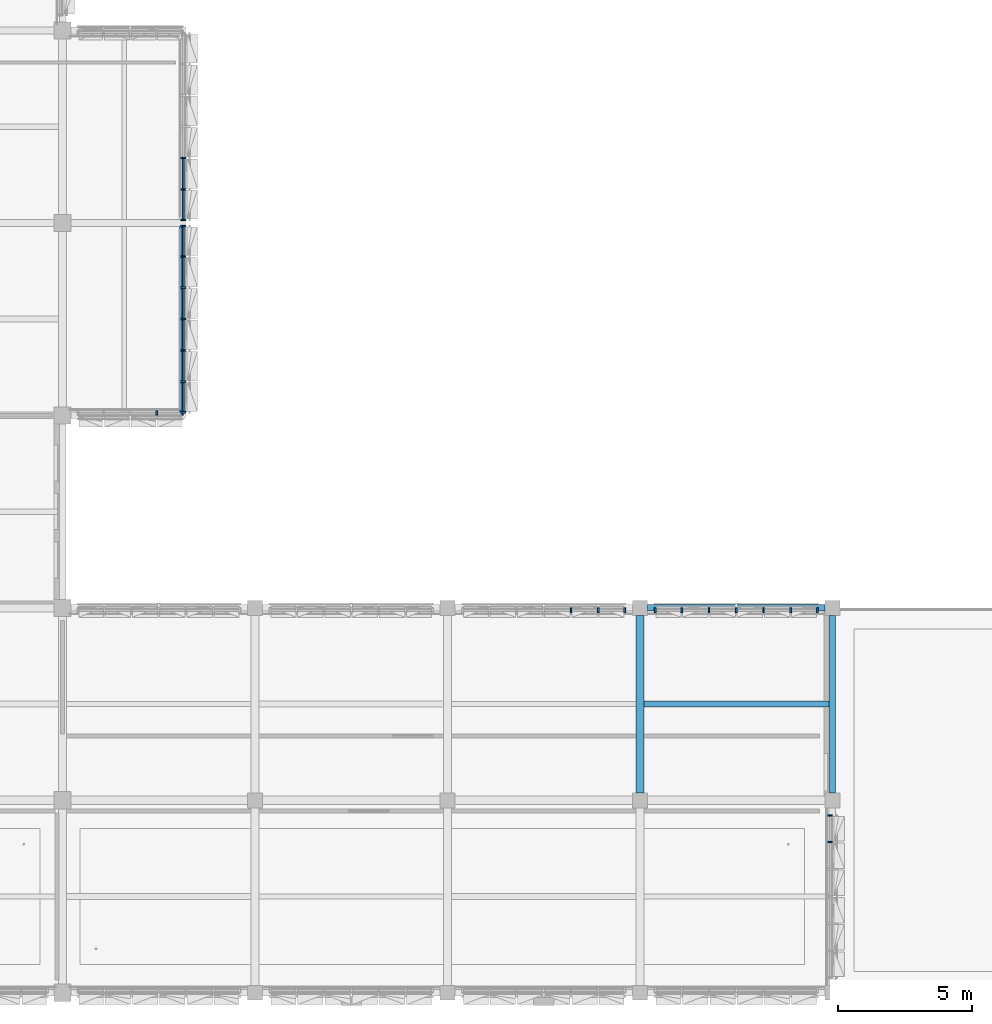
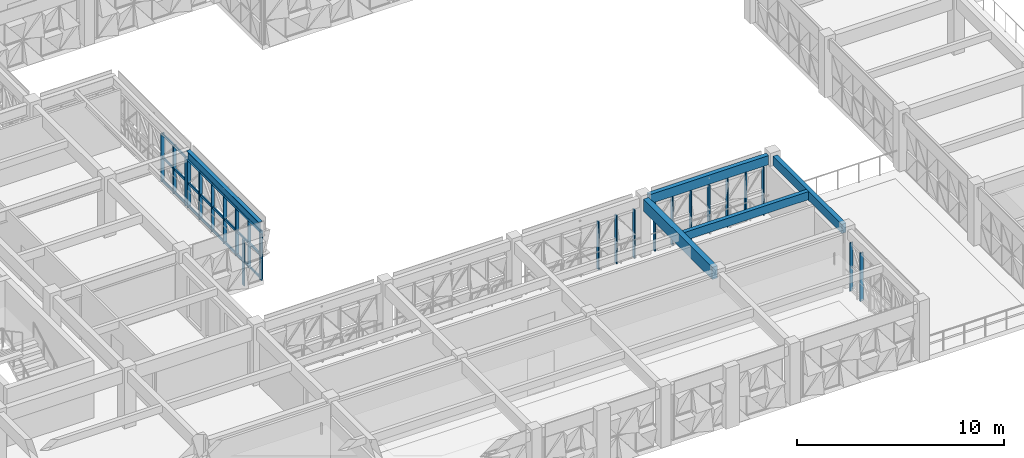
# One storey, part 5 of 85: 48 members, 5 beams, 6 elements without a shape of their own.
"""IFC4 building model written with IfcOpenShell, lengths in metres."""

from ifc_helpers import new_model, si_unit, direction, frame, origin, origin_2d, place, context, subcontext, project, spatial, rectangle, i_section, extrude, material, material_profile, profile_set, type_object, element, aggregate, save


model = new_model("IFC4")

# Units and contexts
model_context = context("Model", 3, precision=1e-05, world=origin(), true_north=direction((0.0, 1.0)))
body_context = subcontext(model_context, "Body", "Model", "MODEL_VIEW")
ifc_project = project(units=[si_unit("LENGTHUNIT", "METRE"), si_unit("AREAUNIT", "SQUARE_METRE"), si_unit("VOLUMEUNIT", "CUBIC_METRE"), si_unit("PLANEANGLEUNIT", "RADIAN"), si_unit("MASSUNIT", "GRAM", prefix="KILO")], contexts=[model_context])

# Site, building, storey
site_placement = place(None, origin())
site = spatial("IfcSite", under=ifc_project, at=site_placement, CompositionType="ELEMENT")
building_placement = place(site_placement, origin())
building = spatial("IfcBuilding", under=site, at=building_placement, Name="Alvorim Cloister Faculty of Sciences", CompositionType="ELEMENT")
storey_placement = place(building_placement, frame((0.0, 0.0, 8.550048828125)))
storey = spatial("IfcBuildingStorey", under=building, at=storey_placement, Name="L02", CompositionType="ELEMENT", Elevation=8.550048828125)

# Beams
ifc_material_1 = material(Name="Glulam GL32h", Category="wood")
ifc_material_profile_1 = material_profile(ifc_material_1, rectangle(XDim=0.300048828125, YDim=0.719970703125, at=origin_2d()), Name="GL32-BM-300x720")
ifc_profile_set_1 = profile_set([ifc_material_profile_1], Name="Glulam GL32h")
beam_type_1 = type_object("IfcBeamType", Name="BM-GL-300x720", PredefinedType="BEAM", material=ifc_profile_set_1)
beam_1_placement = place(storey_placement, frame((50.39990234375, 7.47998046875, 3.030029296875), z_axis=(0.0, 1.0, 0.0), x_axis=(-1.0, 0.0, 0.0)))
element("IfcBeam", 1, at=beam_1_placement, inside=storey, type_object=beam_type_1, Name="L02 Primary Girder BM-1416", PredefinedType="BEAM", context=body_context, shape_type="SweptSolid", body=[
    extrude(rectangle(XDim=0.300048828125, YDim=0.719970703125, at=origin_2d()), origin(), (0.0, 0.0, 1.0), 6.64013671875),
])
ifc_material_2 = material(Name="Glulam GL28h", Category="wood")
ifc_material_profile_2 = material_profile(ifc_material_2, rectangle(XDim=0.219970703125, YDim=0.47998046875, at=origin_2d()), Name="GL28-JST-220x480")
ifc_profile_set_2 = profile_set([ifc_material_profile_2], Name="Glulam GL28h")
beam_type_2 = type_object("IfcBeamType", Name="BM-JST-GL-220x480", PredefinedType="JOIST", material=ifc_profile_set_2)
beam_2_placement = place(storey_placement, frame((50.550048828125, 10.800048828125, 3.14990234375), z_axis=(1.0, 0.0, 0.0), x_axis=(0.0, 1.0, 0.0)))
element("IfcBeam", 2, at=beam_2_placement, inside=storey, type_object=beam_type_2, Name="L02 Secondary Floor Joist BM-1492", PredefinedType="JOIST", context=body_context, shape_type="SweptSolid", body=[
    extrude(rectangle(XDim=0.219970703125, YDim=0.47998046875, at=origin_2d()), origin(), (0.0, 0.0, 1.0), 6.929931640625),
])
ifc_material_profile_3 = material_profile(ifc_material_2, rectangle(XDim=0.239990234375, YDim=0.5400390625, at=origin_2d()), Name="GL28-SPD-240x540")
ifc_profile_set_3 = profile_set([ifc_material_profile_3], Name="Glulam GL28h")
beam_type_3 = type_object("IfcBeamType", Name="BM-SPD-GL-240x540", PredefinedType="SPANDREL", material=ifc_profile_set_3)
for number, where, z_axis, x_axis, name in (
    (3, (50.679931640625, 14.39990234375, 3.119873046875), (1.0, 0.0, 0.0), (0.0, 1.0, 0.0), "L02 Primary Beam BM-1273"),
    (4, (57.60009765625, 7.47998046875, 3.119873046875), (0.0, 1.0, 0.0), (-1.0, 0.0, 0.0), "L02 Primary Girder BM-1418"),
):
    element("IfcBeam", number, at=place(storey_placement, frame(where, z_axis=z_axis, x_axis=x_axis)), inside=storey, type_object=beam_type_3, Name=name, PredefinedType="SPANDREL", context=body_context, shape_type="SweptSolid", body=[
        extrude(rectangle(XDim=0.239990234375, YDim=0.5400390625, at=origin_2d()), origin(), (0.0, 0.0, 1.0), 6.64013671875),
    ])
ifc_material_3 = material(Name="Steel ASTM A572 Grade 50", Category="steel")
ifc_material_profile_4 = material_profile(ifc_material_3, i_section(OverallWidth=0.208984375, OverallDepth=0.532958984375, WebThickness=0.01025390625, FlangeThickness=0.015625, FilletRadius=0.01611328125, at=origin_2d()), Name="W530x92.0")
ifc_profile_set_4 = profile_set([ifc_material_profile_4], Name="Steel ASTM A572 Grade 50")
beam_type_4 = type_object("IfcBeamType", Name="BM-STL-W530", PredefinedType="BEAM", material=ifc_profile_set_4)
beam_3_placement = place(storey_placement, frame((33.280029296875, 21.7099609375, 3.12353515625), z_axis=(0.0, 1.0, 0.0), x_axis=(-1.0, 0.0, 0.0)))
element("IfcBeam", 5, at=beam_3_placement, inside=storey, type_object=beam_type_4, Name="L02 Cantilever Tip Header Girder BM-0017", PredefinedType="BEAM", context=body_context, shape_type="SweptSolid", body=[
    extrude(i_section(OverallWidth=0.208984375, OverallDepth=0.532958984375, WebThickness=0.01025390625, FlangeThickness=0.015625, FilletRadius=0.01611328125, at=origin_2d()), origin(), (0.0, 0.0, 1.0), 6.97998046875),
])

# Curtain wall, members
ifc_material_4 = material(Name="Aluminium and Low-E Glass Curtain Wall", Category="aluminium")
curtain_wall_type_1 = type_object("IfcCurtainWallType", Name="CW-TRI-7040x2857", PredefinedType="USERDEFINED", material=ifc_material_4)
curtain_wall_1_placement = place(storey_placement, origin())
curtain_wall_1 = element("IfcCurtainWall", 6, at=curtain_wall_1_placement, inside=storey, type_object=curtain_wall_type_1, Name="L02 Diagonal Cassette Curtain Wall CW-0072", ObjectType="UNITISED CURTAIN WALL", PredefinedType="USERDEFINED")
ifc_material_5 = material(Name="Aluminium Alloy 6063-T6", Category="aluminium")
ifc_material_profile_5 = material_profile(ifc_material_5, rectangle(XDim=0.06494140625, YDim=0.179931640625, at=origin_2d()), Name="ALU-MUL-65x180")
ifc_profile_set_5 = profile_set([ifc_material_profile_5], Name="Aluminium Alloy 6063-T6")
member_type_1 = type_object("IfcMemberType", Name="CW-MUL-65x180", PredefinedType="MULLION", material=ifc_profile_set_5)
member_1_placement = place(storey_placement, frame((33.31005859375, 28.91259765625, 0.0), z_axis=(0.0, 0.0, 1.0), x_axis=(0.0, 1.0, 0.0)))
member_1 = element("IfcMember", 7, at=member_1_placement, type_object=member_type_1, Name="CW-0072 Mullion 1", PredefinedType="MULLION", context=body_context, shape_type="SweptSolid", body=[
    extrude(rectangle(XDim=0.06494140625, YDim=0.179931640625, at=origin_2d()), origin(), (0.0, 0.0, 1.0), 2.85693359375),
])
member_2_placement = place(storey_placement, frame((33.31005859375, 30.05322265625, 0.0), z_axis=(0.0, 0.0, 1.0), x_axis=(0.0, 1.0, 0.0)))
member_2 = element("IfcMember", 8, at=member_2_placement, type_object=member_type_1, Name="CW-0072 Mullion 2", PredefinedType="MULLION", context=body_context, shape_type="SweptSolid", body=[
    extrude(rectangle(XDim=0.06494140625, YDim=0.179931640625, at=origin_2d()), origin(), (0.0, 0.0, 1.0), 2.85693359375),
])
member_3_placement = place(storey_placement, frame((33.31005859375, 31.226806640625, 0.0), z_axis=(0.0, 0.0, 1.0), x_axis=(0.0, 1.0, 0.0)))
member_3 = element("IfcMember", 9, at=member_3_placement, type_object=member_type_1, Name="CW-0072 Mullion 3", PredefinedType="MULLION", context=body_context, shape_type="SweptSolid", body=[
    extrude(rectangle(XDim=0.06494140625, YDim=0.179931640625, at=origin_2d()), origin(), (0.0, 0.0, 1.0), 2.85693359375),
])

curtain_wall_2_placement = place(storey_placement, origin())
curtain_wall_2 = element("IfcCurtainWall", 10, at=curtain_wall_2_placement, inside=storey, type_object=curtain_wall_type_1, Name="L02 Diagonal Cassette Curtain Wall CW-0073", ObjectType="UNITISED CURTAIN WALL", PredefinedType="USERDEFINED")
member_4_placement = place(storey_placement, frame((33.31005859375, 21.71240234375, 0.0), z_axis=(0.0, 0.0, 1.0), x_axis=(0.0, 1.0, 0.0)))
member_4 = element("IfcMember", 11, at=member_4_placement, type_object=member_type_1, Name="CW-0073 Mullion 1", PredefinedType="MULLION", context=body_context, shape_type="SweptSolid", body=[
    extrude(rectangle(XDim=0.06494140625, YDim=0.179931640625, at=origin_2d()), origin(), (0.0, 0.0, 1.0), 2.85693359375),
])
member_5_placement = place(storey_placement, frame((33.31005859375, 22.853271484375, 0.0), z_axis=(0.0, 0.0, 1.0), x_axis=(0.0, 1.0, 0.0)))
member_5 = element("IfcMember", 12, at=member_5_placement, type_object=member_type_1, Name="CW-0073 Mullion 2", PredefinedType="MULLION", context=body_context, shape_type="SweptSolid", body=[
    extrude(rectangle(XDim=0.06494140625, YDim=0.179931640625, at=origin_2d()), origin(), (0.0, 0.0, 1.0), 2.85693359375),
])
member_6_placement = place(storey_placement, frame((33.31005859375, 24.026611328125, 0.0), z_axis=(0.0, 0.0, 1.0), x_axis=(0.0, 1.0, 0.0)))
member_6 = element("IfcMember", 13, at=member_6_placement, type_object=member_type_1, Name="CW-0073 Mullion 3", PredefinedType="MULLION", context=body_context, shape_type="SweptSolid", body=[
    extrude(rectangle(XDim=0.06494140625, YDim=0.179931640625, at=origin_2d()), origin(), (0.0, 0.0, 1.0), 2.85693359375),
])
member_7_placement = place(storey_placement, frame((33.31005859375, 25.199951171875, 0.0), z_axis=(0.0, 0.0, 1.0), x_axis=(0.0, 1.0, 0.0)))
member_7 = element("IfcMember", 14, at=member_7_placement, type_object=member_type_1, Name="CW-0073 Mullion 4", PredefinedType="MULLION", context=body_context, shape_type="SweptSolid", body=[
    extrude(rectangle(XDim=0.06494140625, YDim=0.179931640625, at=origin_2d()), origin(), (0.0, 0.0, 1.0), 2.85693359375),
])
member_8_placement = place(storey_placement, frame((33.31005859375, 26.373291015625, 0.0), z_axis=(0.0, 0.0, 1.0), x_axis=(0.0, 1.0, 0.0)))
member_8 = element("IfcMember", 15, at=member_8_placement, type_object=member_type_1, Name="CW-0073 Mullion 5", PredefinedType="MULLION", context=body_context, shape_type="SweptSolid", body=[
    extrude(rectangle(XDim=0.06494140625, YDim=0.179931640625, at=origin_2d()), origin(), (0.0, 0.0, 1.0), 2.85693359375),
])
member_9_placement = place(storey_placement, frame((33.31005859375, 27.546630859375, 0.0), z_axis=(0.0, 0.0, 1.0), x_axis=(0.0, 1.0, 0.0)))
member_9 = element("IfcMember", 16, at=member_9_placement, type_object=member_type_1, Name="CW-0073 Mullion 6", PredefinedType="MULLION", context=body_context, shape_type="SweptSolid", body=[
    extrude(rectangle(XDim=0.06494140625, YDim=0.179931640625, at=origin_2d()), origin(), (0.0, 0.0, 1.0), 2.85693359375),
])
member_10_placement = place(storey_placement, frame((33.31005859375, 28.6875, 0.0), z_axis=(0.0, 0.0, 1.0), x_axis=(0.0, 1.0, 0.0)))
member_10 = element("IfcMember", 17, at=member_10_placement, type_object=member_type_1, Name="CW-0073 Mullion 7", PredefinedType="MULLION", context=body_context, shape_type="SweptSolid", body=[
    extrude(rectangle(XDim=0.06494140625, YDim=0.179931640625, at=origin_2d()), origin(), (0.0, 0.0, 1.0), 2.85693359375),
])

curtain_wall_type_2 = type_object("IfcCurtainWallType", Name="CW-TRI-3980x2706", PredefinedType="USERDEFINED", material=ifc_material_4)
curtain_wall_3_placement = place(storey_placement, origin())
curtain_wall_3 = element("IfcCurtainWall", 18, at=curtain_wall_3_placement, inside=storey, type_object=curtain_wall_type_2, Name="L02 Diagonal Cassette Curtain Wall CW-0074", ObjectType="UNITISED CURTAIN WALL", PredefinedType="USERDEFINED")
member_11_placement = place(storey_placement, frame((32.324951171875, 21.68994140625, 0.0), z_axis=(0.0, 0.0, 1.0), x_axis=(1.0, 0.0, 0.0)))
member_11 = element("IfcMember", 19, at=member_11_placement, type_object=member_type_1, Name="CW-0074 Mullion 4", PredefinedType="MULLION", context=body_context, shape_type="SweptSolid", body=[
    extrude(rectangle(XDim=0.06494140625, YDim=0.179931640625, at=origin_2d()), origin(), (0.0, 0.0, 1.0), 2.7060546875),
])
member_12_placement = place(storey_placement, frame((33.28759765625, 21.68994140625, 0.0), z_axis=(0.0, 0.0, 1.0), x_axis=(1.0, 0.0, 0.0)))
member_12 = element("IfcMember", 20, at=member_12_placement, type_object=member_type_1, Name="CW-0074 Mullion 5", PredefinedType="MULLION", context=body_context, shape_type="SweptSolid", body=[
    extrude(rectangle(XDim=0.06494140625, YDim=0.179931640625, at=origin_2d()), origin(), (0.0, 0.0, 1.0), 2.7060546875),
])
aggregate(curtain_wall_3, [member_11, member_12])

curtain_wall_type_3 = type_object("IfcCurtainWallType", Name="CW-TRI-6120x2850", PredefinedType="USERDEFINED", material=ifc_material_4)
curtain_wall_4_placement = place(storey_placement, origin())
curtain_wall_4 = element("IfcCurtainWall", 21, at=curtain_wall_4_placement, inside=storey, type_object=curtain_wall_type_3, Name="L02 Diagonal Cassette Curtain Wall CW-0077", ObjectType="UNITISED CURTAIN WALL", PredefinedType="USERDEFINED")
member_13_placement = place(storey_placement, frame((47.820068359375, 14.31005859375, 0.0), z_axis=(0.0, 0.0, 1.0), x_axis=(1.0, 0.0, 0.0)))
member_13 = element("IfcMember", 22, at=member_13_placement, type_object=member_type_1, Name="CW-0077 Mullion 5", PredefinedType="MULLION", context=body_context, shape_type="SweptSolid", body=[
    extrude(rectangle(XDim=0.06494140625, YDim=0.179931640625, at=origin_2d()), origin(), (0.0, 0.0, 1.0), 2.849853515625),
])
member_14_placement = place(storey_placement, frame((48.840087890625, 14.31005859375, 0.0), z_axis=(0.0, 0.0, 1.0), x_axis=(1.0, 0.0, 0.0)))
member_14 = element("IfcMember", 23, at=member_14_placement, type_object=member_type_1, Name="CW-0077 Mullion 6", PredefinedType="MULLION", context=body_context, shape_type="SweptSolid", body=[
    extrude(rectangle(XDim=0.06494140625, YDim=0.179931640625, at=origin_2d()), origin(), (0.0, 0.0, 1.0), 2.849853515625),
])
member_15_placement = place(storey_placement, frame((49.827392578125, 14.31005859375, 0.0), z_axis=(0.0, 0.0, 1.0), x_axis=(1.0, 0.0, 0.0)))
member_15 = element("IfcMember", 24, at=member_15_placement, type_object=member_type_1, Name="CW-0077 Mullion 7", PredefinedType="MULLION", context=body_context, shape_type="SweptSolid", body=[
    extrude(rectangle(XDim=0.06494140625, YDim=0.179931640625, at=origin_2d()), origin(), (0.0, 0.0, 1.0), 2.849853515625),
])
aggregate(curtain_wall_4, [member_13, member_14, member_15])

curtain_wall_5_placement = place(storey_placement, origin())
curtain_wall_5 = element("IfcCurtainWall", 25, at=curtain_wall_5_placement, inside=storey, type_object=curtain_wall_type_3, Name="L02 Diagonal Cassette Curtain Wall CW-0078", ObjectType="UNITISED CURTAIN WALL", PredefinedType="USERDEFINED")
member_16_placement = place(storey_placement, frame((50.972412109375, 14.31005859375, 0.0), z_axis=(0.0, 0.0, 1.0), x_axis=(1.0, 0.0, 0.0)))
member_16 = element("IfcMember", 26, at=member_16_placement, type_object=member_type_1, Name="CW-0078 Mullion 1", PredefinedType="MULLION", context=body_context, shape_type="SweptSolid", body=[
    extrude(rectangle(XDim=0.06494140625, YDim=0.179931640625, at=origin_2d()), origin(), (0.0, 0.0, 1.0), 2.849853515625),
])
member_17_placement = place(storey_placement, frame((51.9599609375, 14.31005859375, 0.0), z_axis=(0.0, 0.0, 1.0), x_axis=(1.0, 0.0, 0.0)))
member_17 = element("IfcMember", 27, at=member_17_placement, type_object=member_type_1, Name="CW-0078 Mullion 2", PredefinedType="MULLION", context=body_context, shape_type="SweptSolid", body=[
    extrude(rectangle(XDim=0.06494140625, YDim=0.179931640625, at=origin_2d()), origin(), (0.0, 0.0, 1.0), 2.849853515625),
])
member_18_placement = place(storey_placement, frame((52.97998046875, 14.31005859375, 0.0), z_axis=(0.0, 0.0, 1.0), x_axis=(1.0, 0.0, 0.0)))
member_18 = element("IfcMember", 28, at=member_18_placement, type_object=member_type_1, Name="CW-0078 Mullion 3", PredefinedType="MULLION", context=body_context, shape_type="SweptSolid", body=[
    extrude(rectangle(XDim=0.06494140625, YDim=0.179931640625, at=origin_2d()), origin(), (0.0, 0.0, 1.0), 2.849853515625),
])
member_19_placement = place(storey_placement, frame((54.0, 14.31005859375, 0.0), z_axis=(0.0, 0.0, 1.0), x_axis=(1.0, 0.0, 0.0)))
member_19 = element("IfcMember", 29, at=member_19_placement, type_object=member_type_1, Name="CW-0078 Mullion 4", PredefinedType="MULLION", context=body_context, shape_type="SweptSolid", body=[
    extrude(rectangle(XDim=0.06494140625, YDim=0.179931640625, at=origin_2d()), origin(), (0.0, 0.0, 1.0), 2.849853515625),
])
member_20_placement = place(storey_placement, frame((55.02001953125, 14.31005859375, 0.0), z_axis=(0.0, 0.0, 1.0), x_axis=(1.0, 0.0, 0.0)))
member_20 = element("IfcMember", 30, at=member_20_placement, type_object=member_type_1, Name="CW-0078 Mullion 5", PredefinedType="MULLION", context=body_context, shape_type="SweptSolid", body=[
    extrude(rectangle(XDim=0.06494140625, YDim=0.179931640625, at=origin_2d()), origin(), (0.0, 0.0, 1.0), 2.849853515625),
])
member_21_placement = place(storey_placement, frame((56.0400390625, 14.31005859375, 0.0), z_axis=(0.0, 0.0, 1.0), x_axis=(1.0, 0.0, 0.0)))
member_21 = element("IfcMember", 31, at=member_21_placement, type_object=member_type_1, Name="CW-0078 Mullion 6", PredefinedType="MULLION", context=body_context, shape_type="SweptSolid", body=[
    extrude(rectangle(XDim=0.06494140625, YDim=0.179931640625, at=origin_2d()), origin(), (0.0, 0.0, 1.0), 2.849853515625),
])
member_22_placement = place(storey_placement, frame((57.027587890625, 14.31005859375, 0.0), z_axis=(0.0, 0.0, 1.0), x_axis=(1.0, 0.0, 0.0)))
member_22 = element("IfcMember", 32, at=member_22_placement, type_object=member_type_1, Name="CW-0078 Mullion 7", PredefinedType="MULLION", context=body_context, shape_type="SweptSolid", body=[
    extrude(rectangle(XDim=0.06494140625, YDim=0.179931640625, at=origin_2d()), origin(), (0.0, 0.0, 1.0), 2.849853515625),
])
aggregate(curtain_wall_5, [member_16, member_17, member_18, member_19, member_20, member_21, member_22])

curtain_wall_6_placement = place(storey_placement, origin())
curtain_wall_6 = element("IfcCurtainWall", 33, at=curtain_wall_6_placement, inside=storey, type_object=curtain_wall_type_3, Name="L02 Diagonal Cassette Curtain Wall CW-0079", ObjectType="UNITISED CURTAIN WALL", PredefinedType="USERDEFINED")
member_23_placement = place(storey_placement, frame((57.510009765625, 5.639892578125, 0.0), z_axis=(0.0, 0.0, 1.0), x_axis=(0.0, 1.0, 0.0)))
member_23 = element("IfcMember", 34, at=member_23_placement, type_object=member_type_1, Name="CW-0079 Mullion 6", PredefinedType="MULLION", context=body_context, shape_type="SweptSolid", body=[
    extrude(rectangle(XDim=0.06494140625, YDim=0.179931640625, at=origin_2d()), origin(), (0.0, 0.0, 1.0), 2.849853515625),
])
member_24_placement = place(storey_placement, frame((57.510009765625, 6.62744140625, 0.0), z_axis=(0.0, 0.0, 1.0), x_axis=(0.0, 1.0, 0.0)))
member_24 = element("IfcMember", 35, at=member_24_placement, type_object=member_type_1, Name="CW-0079 Mullion 7", PredefinedType="MULLION", context=body_context, shape_type="SweptSolid", body=[
    extrude(rectangle(XDim=0.06494140625, YDim=0.179931640625, at=origin_2d()), origin(), (0.0, 0.0, 1.0), 2.849853515625),
])
aggregate(curtain_wall_6, [member_23, member_24])

# Member
ifc_material_profile_6 = material_profile(ifc_material_5, rectangle(XDim=0.06494140625, YDim=0.139892578125, at=origin_2d()), Name="ALU-TRN-65x140")
ifc_profile_set_6 = profile_set([ifc_material_profile_6], Name="Aluminium Alloy 6063-T6")
member_type_2 = type_object("IfcMemberType", Name="CW-TRN-65x140", PredefinedType="USERDEFINED", material=ifc_profile_set_6)
member_25_placement = place(storey_placement, frame((33.31005859375, 28.945068359375, 0.070068359375), z_axis=(0.0, 1.0, 0.0), x_axis=(-1.0, 0.0, 0.0)))
member_25 = element("IfcMember", 36, at=member_25_placement, type_object=member_type_2, Name="CW-0072 Transom 1.1", ObjectType="TRANSOM", PredefinedType="USERDEFINED", context=body_context, shape_type="SweptSolid", body=[
    extrude(rectangle(XDim=0.06494140625, YDim=0.139892578125, at=origin_2d()), origin(), (0.0, 0.0, 1.0), 1.07568359375),
])

member_26_placement = place(storey_placement, frame((33.31005859375, 28.945068359375, 1.428466796875), z_axis=(0.0, 1.0, 0.0), x_axis=(-1.0, 0.0, 0.0)))
member_26 = element("IfcMember", 37, at=member_26_placement, type_object=member_type_2, Name="CW-0072 Transom 1.2", ObjectType="TRANSOM", PredefinedType="USERDEFINED", context=body_context, shape_type="SweptSolid", body=[
    extrude(rectangle(XDim=0.06494140625, YDim=0.139892578125, at=origin_2d()), origin(), (0.0, 0.0, 1.0), 1.07568359375),
])

member_27_placement = place(storey_placement, frame((33.31005859375, 28.945068359375, 2.786865234375), z_axis=(0.0, 1.0, 0.0), x_axis=(-1.0, 0.0, 0.0)))
member_27 = element("IfcMember", 38, at=member_27_placement, type_object=member_type_2, Name="CW-0072 Transom 1.3", ObjectType="TRANSOM", PredefinedType="USERDEFINED", context=body_context, shape_type="SweptSolid", body=[
    extrude(rectangle(XDim=0.06494140625, YDim=0.139892578125, at=origin_2d()), origin(), (0.0, 0.0, 1.0), 1.07568359375),
])

member_28_placement = place(storey_placement, frame((33.31005859375, 30.0859375, 0.070068359375), z_axis=(0.0, 1.0, 0.0), x_axis=(-1.0, 0.0, 0.0)))
member_28 = element("IfcMember", 39, at=member_28_placement, type_object=member_type_2, Name="CW-0072 Transom 2.1", ObjectType="TRANSOM", PredefinedType="USERDEFINED", context=body_context, shape_type="SweptSolid", body=[
    extrude(rectangle(XDim=0.06494140625, YDim=0.139892578125, at=origin_2d()), origin(), (0.0, 0.0, 1.0), 1.108154296875),
])

member_29_placement = place(storey_placement, frame((33.31005859375, 30.0859375, 1.428466796875), z_axis=(0.0, 1.0, 0.0), x_axis=(-1.0, 0.0, 0.0)))
member_29 = element("IfcMember", 40, at=member_29_placement, type_object=member_type_2, Name="CW-0072 Transom 2.2", ObjectType="TRANSOM", PredefinedType="USERDEFINED", context=body_context, shape_type="SweptSolid", body=[
    extrude(rectangle(XDim=0.06494140625, YDim=0.139892578125, at=origin_2d()), origin(), (0.0, 0.0, 1.0), 1.108154296875),
])

member_30_placement = place(storey_placement, frame((33.31005859375, 30.0859375, 2.786865234375), z_axis=(0.0, 1.0, 0.0), x_axis=(-1.0, 0.0, 0.0)))
member_30 = element("IfcMember", 41, at=member_30_placement, type_object=member_type_2, Name="CW-0072 Transom 2.3", ObjectType="TRANSOM", PredefinedType="USERDEFINED", context=body_context, shape_type="SweptSolid", body=[
    extrude(rectangle(XDim=0.06494140625, YDim=0.139892578125, at=origin_2d()), origin(), (0.0, 0.0, 1.0), 1.108154296875),
])

aggregate(curtain_wall_1, [member_1, member_2, member_3, member_25, member_26, member_27, member_28, member_29, member_30])

member_31_placement = place(storey_placement, frame((33.31005859375, 21.7451171875, 0.070068359375), z_axis=(0.0, 1.0, 0.0), x_axis=(-1.0, 0.0, 0.0)))
member_31 = element("IfcMember", 42, at=member_31_placement, type_object=member_type_2, Name="CW-0073 Transom 1.1", ObjectType="TRANSOM", PredefinedType="USERDEFINED", context=body_context, shape_type="SweptSolid", body=[
    extrude(rectangle(XDim=0.06494140625, YDim=0.139892578125, at=origin_2d()), origin(), (0.0, 0.0, 1.0), 1.07568359375),
])

member_32_placement = place(storey_placement, frame((33.31005859375, 21.7451171875, 1.428466796875), z_axis=(0.0, 1.0, 0.0), x_axis=(-1.0, 0.0, 0.0)))
member_32 = element("IfcMember", 43, at=member_32_placement, type_object=member_type_2, Name="CW-0073 Transom 1.2", ObjectType="TRANSOM", PredefinedType="USERDEFINED", context=body_context, shape_type="SweptSolid", body=[
    extrude(rectangle(XDim=0.06494140625, YDim=0.139892578125, at=origin_2d()), origin(), (0.0, 0.0, 1.0), 1.07568359375),
])

member_33_placement = place(storey_placement, frame((33.31005859375, 21.7451171875, 2.786865234375), z_axis=(0.0, 1.0, 0.0), x_axis=(-1.0, 0.0, 0.0)))
member_33 = element("IfcMember", 44, at=member_33_placement, type_object=member_type_2, Name="CW-0073 Transom 1.3", ObjectType="TRANSOM", PredefinedType="USERDEFINED", context=body_context, shape_type="SweptSolid", body=[
    extrude(rectangle(XDim=0.06494140625, YDim=0.139892578125, at=origin_2d()), origin(), (0.0, 0.0, 1.0), 1.07568359375),
])

member_34_placement = place(storey_placement, frame((33.31005859375, 22.8857421875, 0.070068359375), z_axis=(0.0, 1.0, 0.0), x_axis=(-1.0, 0.0, 0.0)))
member_34 = element("IfcMember", 45, at=member_34_placement, type_object=member_type_2, Name="CW-0073 Transom 2.1", ObjectType="TRANSOM", PredefinedType="USERDEFINED", context=body_context, shape_type="SweptSolid", body=[
    extrude(rectangle(XDim=0.06494140625, YDim=0.139892578125, at=origin_2d()), origin(), (0.0, 0.0, 1.0), 1.1083984375),
])

member_35_placement = place(storey_placement, frame((33.31005859375, 22.8857421875, 1.428466796875), z_axis=(0.0, 1.0, 0.0), x_axis=(-1.0, 0.0, 0.0)))
member_35 = element("IfcMember", 46, at=member_35_placement, type_object=member_type_2, Name="CW-0073 Transom 2.2", ObjectType="TRANSOM", PredefinedType="USERDEFINED", context=body_context, shape_type="SweptSolid", body=[
    extrude(rectangle(XDim=0.06494140625, YDim=0.139892578125, at=origin_2d()), origin(), (0.0, 0.0, 1.0), 1.1083984375),
])

member_36_placement = place(storey_placement, frame((33.31005859375, 22.8857421875, 2.786865234375), z_axis=(0.0, 1.0, 0.0), x_axis=(-1.0, 0.0, 0.0)))
member_36 = element("IfcMember", 47, at=member_36_placement, type_object=member_type_2, Name="CW-0073 Transom 2.3", ObjectType="TRANSOM", PredefinedType="USERDEFINED", context=body_context, shape_type="SweptSolid", body=[
    extrude(rectangle(XDim=0.06494140625, YDim=0.139892578125, at=origin_2d()), origin(), (0.0, 0.0, 1.0), 1.1083984375),
])

member_37_placement = place(storey_placement, frame((33.31005859375, 24.05908203125, 0.070068359375), z_axis=(0.0, 1.0, 0.0), x_axis=(-1.0, 0.0, 0.0)))
member_37 = element("IfcMember", 48, at=member_37_placement, type_object=member_type_2, Name="CW-0073 Transom 3.1", ObjectType="TRANSOM", PredefinedType="USERDEFINED", context=body_context, shape_type="SweptSolid", body=[
    extrude(rectangle(XDim=0.06494140625, YDim=0.139892578125, at=origin_2d()), origin(), (0.0, 0.0, 1.0), 1.1083984375),
])

member_38_placement = place(storey_placement, frame((33.31005859375, 24.05908203125, 1.428466796875), z_axis=(0.0, 1.0, 0.0), x_axis=(-1.0, 0.0, 0.0)))
member_38 = element("IfcMember", 49, at=member_38_placement, type_object=member_type_2, Name="CW-0073 Transom 3.2", ObjectType="TRANSOM", PredefinedType="USERDEFINED", context=body_context, shape_type="SweptSolid", body=[
    extrude(rectangle(XDim=0.06494140625, YDim=0.139892578125, at=origin_2d()), origin(), (0.0, 0.0, 1.0), 1.1083984375),
])

member_39_placement = place(storey_placement, frame((33.31005859375, 24.05908203125, 2.786865234375), z_axis=(0.0, 1.0, 0.0), x_axis=(-1.0, 0.0, 0.0)))
member_39 = element("IfcMember", 50, at=member_39_placement, type_object=member_type_2, Name="CW-0073 Transom 3.3", ObjectType="TRANSOM", PredefinedType="USERDEFINED", context=body_context, shape_type="SweptSolid", body=[
    extrude(rectangle(XDim=0.06494140625, YDim=0.139892578125, at=origin_2d()), origin(), (0.0, 0.0, 1.0), 1.1083984375),
])

member_40_placement = place(storey_placement, frame((33.31005859375, 25.232421875, 0.070068359375), z_axis=(0.0, 1.0, 0.0), x_axis=(-1.0, 0.0, 0.0)))
member_40 = element("IfcMember", 51, at=member_40_placement, type_object=member_type_2, Name="CW-0073 Transom 4.1", ObjectType="TRANSOM", PredefinedType="USERDEFINED", context=body_context, shape_type="SweptSolid", body=[
    extrude(rectangle(XDim=0.06494140625, YDim=0.139892578125, at=origin_2d()), origin(), (0.0, 0.0, 1.0), 1.1083984375),
])

member_41_placement = place(storey_placement, frame((33.31005859375, 25.232421875, 1.428466796875), z_axis=(0.0, 1.0, 0.0), x_axis=(-1.0, 0.0, 0.0)))
member_41 = element("IfcMember", 52, at=member_41_placement, type_object=member_type_2, Name="CW-0073 Transom 4.2", ObjectType="TRANSOM", PredefinedType="USERDEFINED", context=body_context, shape_type="SweptSolid", body=[
    extrude(rectangle(XDim=0.06494140625, YDim=0.139892578125, at=origin_2d()), origin(), (0.0, 0.0, 1.0), 1.1083984375),
])

member_42_placement = place(storey_placement, frame((33.31005859375, 25.232421875, 2.786865234375), z_axis=(0.0, 1.0, 0.0), x_axis=(-1.0, 0.0, 0.0)))
member_42 = element("IfcMember", 53, at=member_42_placement, type_object=member_type_2, Name="CW-0073 Transom 4.3", ObjectType="TRANSOM", PredefinedType="USERDEFINED", context=body_context, shape_type="SweptSolid", body=[
    extrude(rectangle(XDim=0.06494140625, YDim=0.139892578125, at=origin_2d()), origin(), (0.0, 0.0, 1.0), 1.1083984375),
])

member_43_placement = place(storey_placement, frame((33.31005859375, 26.40576171875, 0.070068359375), z_axis=(0.0, 1.0, 0.0), x_axis=(-1.0, 0.0, 0.0)))
member_43 = element("IfcMember", 54, at=member_43_placement, type_object=member_type_2, Name="CW-0073 Transom 5.1", ObjectType="TRANSOM", PredefinedType="USERDEFINED", context=body_context, shape_type="SweptSolid", body=[
    extrude(rectangle(XDim=0.06494140625, YDim=0.139892578125, at=origin_2d()), origin(), (0.0, 0.0, 1.0), 1.1083984375),
])

member_44_placement = place(storey_placement, frame((33.31005859375, 26.40576171875, 1.428466796875), z_axis=(0.0, 1.0, 0.0), x_axis=(-1.0, 0.0, 0.0)))
member_44 = element("IfcMember", 55, at=member_44_placement, type_object=member_type_2, Name="CW-0073 Transom 5.2", ObjectType="TRANSOM", PredefinedType="USERDEFINED", context=body_context, shape_type="SweptSolid", body=[
    extrude(rectangle(XDim=0.06494140625, YDim=0.139892578125, at=origin_2d()), origin(), (0.0, 0.0, 1.0), 1.1083984375),
])

member_45_placement = place(storey_placement, frame((33.31005859375, 26.40576171875, 2.786865234375), z_axis=(0.0, 1.0, 0.0), x_axis=(-1.0, 0.0, 0.0)))
member_45 = element("IfcMember", 56, at=member_45_placement, type_object=member_type_2, Name="CW-0073 Transom 5.3", ObjectType="TRANSOM", PredefinedType="USERDEFINED", context=body_context, shape_type="SweptSolid", body=[
    extrude(rectangle(XDim=0.06494140625, YDim=0.139892578125, at=origin_2d()), origin(), (0.0, 0.0, 1.0), 1.1083984375),
])

member_46_placement = place(storey_placement, frame((33.31005859375, 27.5791015625, 0.070068359375), z_axis=(0.0, 1.0, 0.0), x_axis=(-1.0, 0.0, 0.0)))
member_46 = element("IfcMember", 57, at=member_46_placement, type_object=member_type_2, Name="CW-0073 Transom 6.1", ObjectType="TRANSOM", PredefinedType="USERDEFINED", context=body_context, shape_type="SweptSolid", body=[
    extrude(rectangle(XDim=0.06494140625, YDim=0.139892578125, at=origin_2d()), origin(), (0.0, 0.0, 1.0), 1.075927734375),
])

member_47_placement = place(storey_placement, frame((33.31005859375, 27.5791015625, 1.428466796875), z_axis=(0.0, 1.0, 0.0), x_axis=(-1.0, 0.0, 0.0)))
member_47 = element("IfcMember", 58, at=member_47_placement, type_object=member_type_2, Name="CW-0073 Transom 6.2", ObjectType="TRANSOM", PredefinedType="USERDEFINED", context=body_context, shape_type="SweptSolid", body=[
    extrude(rectangle(XDim=0.06494140625, YDim=0.139892578125, at=origin_2d()), origin(), (0.0, 0.0, 1.0), 1.075927734375),
])

member_48_placement = place(storey_placement, frame((33.31005859375, 27.5791015625, 2.786865234375), z_axis=(0.0, 1.0, 0.0), x_axis=(-1.0, 0.0, 0.0)))
member_48 = element("IfcMember", 59, at=member_48_placement, type_object=member_type_2, Name="CW-0073 Transom 6.3", ObjectType="TRANSOM", PredefinedType="USERDEFINED", context=body_context, shape_type="SweptSolid", body=[
    extrude(rectangle(XDim=0.06494140625, YDim=0.139892578125, at=origin_2d()), origin(), (0.0, 0.0, 1.0), 1.075927734375),
])

aggregate(curtain_wall_2, [member_4, member_5, member_6, member_7, member_8, member_9, member_10, member_31, member_32, member_33, member_34, member_35, member_36, member_37, member_38, member_39, member_40, member_41, member_42, member_43, member_44, member_45, member_46, member_47, member_48])

save(model, "model.ifc")
